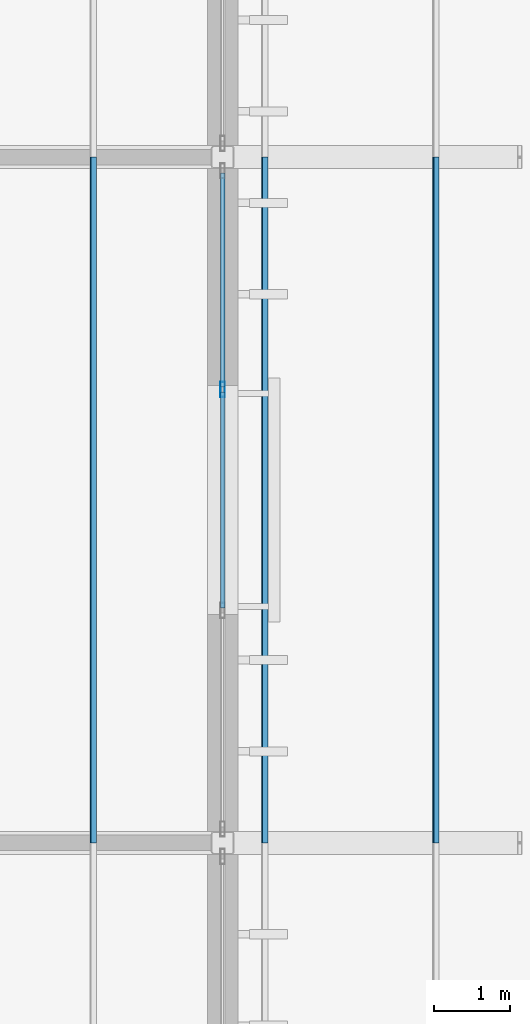
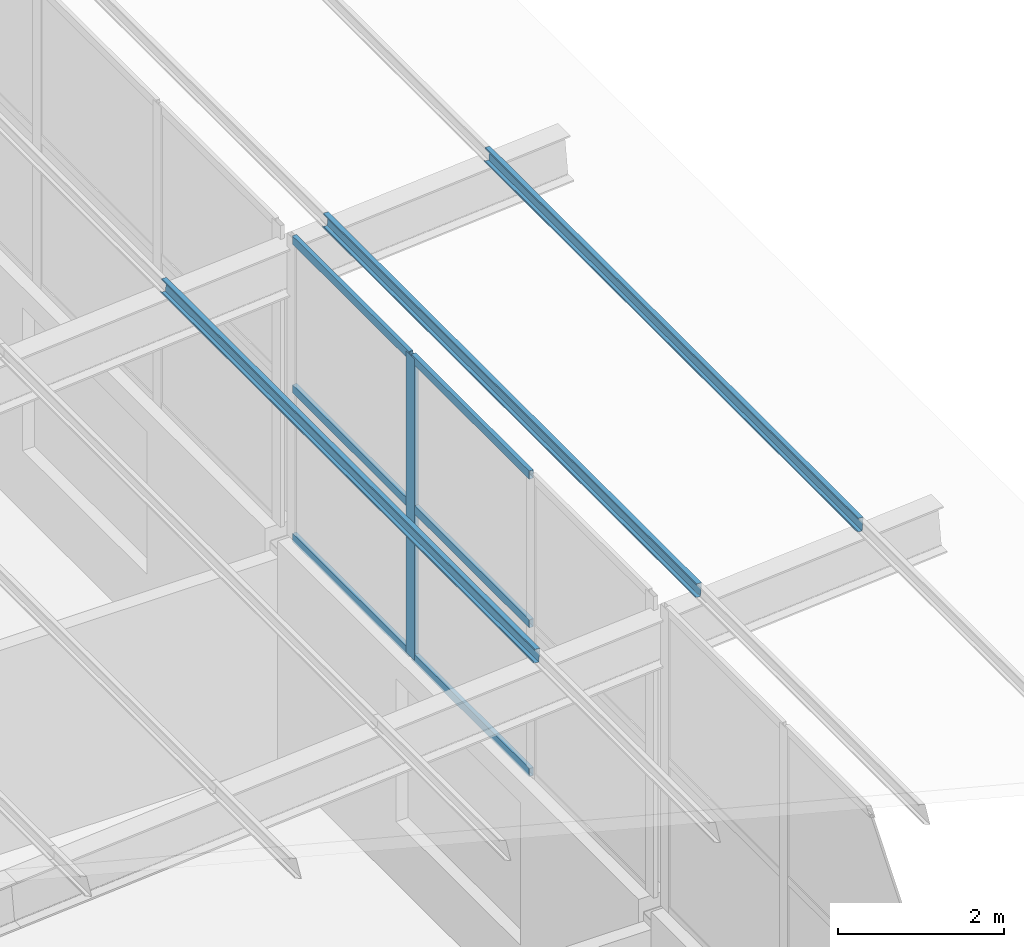
# One storey, part 44 of 85: 10 members, 1 element without a shape of its own.
"""IFC4 building model written with IfcOpenShell, lengths in metres."""

from ifc_helpers import new_model, si_unit, direction, frame, origin, origin_2d, place, context, subcontext, project, spatial, polyline, hollow_rectangle, outline, extrude, material, layer, layer_set, material_profile, profile_set, type_object, element, aggregate, save


model = new_model("IFC4")

# Units and contexts
model_context = context("Model", 3, precision=1e-05, world=origin(), true_north=direction((0.0, 1.0)))
body_context = subcontext(model_context, "Body", "Model", "MODEL_VIEW")
ifc_project = project(units=[si_unit("LENGTHUNIT", "METRE"), si_unit("AREAUNIT", "SQUARE_METRE"), si_unit("VOLUMEUNIT", "CUBIC_METRE"), si_unit("PLANEANGLEUNIT", "RADIAN"), si_unit("MASSUNIT", "GRAM", prefix="KILO")], contexts=[model_context])

# Site, building, storey
site_placement = place(None, origin())
site = spatial("IfcSite", under=ifc_project, at=site_placement, CompositionType="ELEMENT")
building_placement = place(site_placement, origin())
building = spatial("IfcBuilding", under=site, at=building_placement, Name="Opaline Strait Convention Centre", CompositionType="ELEMENT")
storey_placement = place(building_placement, frame((0.0, 0.0, 17.0)))
storey = spatial("IfcBuildingStorey", under=building, at=storey_placement, Name="L03", CompositionType="ELEMENT", Elevation=17.0)

# Curtain wall, members
ifc_material_1 = material(Name="Aluminium framed double glazing", Category="aluminium")
ifc_layer = layer(ifc_material_1, 0.199951171875)
ifc_layer_set = layer_set([ifc_layer], Name="Aluminium framed double glazing")
curtain_wall_type = type_object("IfcCurtainWallType", Name="Curtain wall 3000 module unitised", PredefinedType="NOTDEFINED", material=ifc_layer_set)
curtain_wall_placement = place(storey_placement, origin())
curtain_wall = element("IfcCurtainWall", 1, at=curtain_wall_placement, inside=storey, type_object=curtain_wall_type, Name="Clerestory curtain wall E L03 41/P", PredefinedType="NOTDEFINED")
ifc_material_2 = material(Name="Aluminium alloy 6063", Category="aluminium")
ifc_material_profile_1 = material_profile(ifc_material_2, hollow_rectangle(XDim=0.06005859375, YDim=0.199951171875, WallThickness=0.00390625, at=origin_2d()), Name="MULLION 60x200x4")
ifc_profile_set_1 = profile_set([ifc_material_profile_1], Name="Aluminium alloy 6063")
member_type_1 = type_object("IfcMemberType", Name="Curtain wall mullion 60 x 200", PredefinedType="MULLION", material=ifc_profile_set_1)
member_1_placement = place(storey_placement, frame((360.0, 122.949951171875, 3.300048828125), z_axis=(0.0, 0.0, 1.0), x_axis=(-1.0, 0.0, 0.0)))
member_1 = element("IfcMember", 2, at=member_1_placement, type_object=member_type_1, Name="MCWR1 mullion 3", PredefinedType="MULLION", context=body_context, shape_type="SweptSolid", body=[
    extrude(hollow_rectangle(XDim=0.06005859375, YDim=0.199951171875, WallThickness=0.00390625, at=origin_2d()), origin(), (0.0, 0.0, 1.0), 4.43603515625),
])
ifc_material_profile_2 = material_profile(ifc_material_2, hollow_rectangle(XDim=0.06005859375, YDim=0.1201171875, WallThickness=0.0029296875, at=origin_2d()), Name="TRANSOM 60x120x3")
ifc_profile_set_2 = profile_set([ifc_material_profile_2], Name="Aluminium alloy 6063")
member_type_2 = type_object("IfcMemberType", Name="Curtain wall transom 60 x 120", PredefinedType="USERDEFINED", material=ifc_profile_set_2)
member_2_placement = place(storey_placement, frame((360.0, 120.080078125, 3.330078125), z_axis=(0.0, 1.0, 0.0), x_axis=(-1.0, 0.0, 0.0)))
member_2 = element("IfcMember", 3, at=member_2_placement, type_object=member_type_2, Name="MCWR1 transom 2.1", ObjectType="TRANSOM", PredefinedType="USERDEFINED", context=body_context, shape_type="SweptSolid", body=[
    extrude(hollow_rectangle(XDim=0.06005859375, YDim=0.1201171875, WallThickness=0.0029296875, at=origin_2d()), origin(), (0.0, 0.0, 1.0), 2.83984375),
])
member_3_placement = place(storey_placement, frame((360.0, 120.080078125, 5.51806640625), z_axis=(0.0, 1.0, 0.0), x_axis=(-1.0, 0.0, 0.0)))
member_3 = element("IfcMember", 4, at=member_3_placement, type_object=member_type_2, Name="MCWR1 transom 2.2", ObjectType="TRANSOM", PredefinedType="USERDEFINED", context=body_context, shape_type="SweptSolid", body=[
    extrude(hollow_rectangle(XDim=0.06005859375, YDim=0.1201171875, WallThickness=0.0029296875, at=origin_2d()), origin(), (0.0, 0.0, 1.0), 2.83984375),
])
member_4_placement = place(storey_placement, frame((360.0, 120.080078125, 7.7060546875), z_axis=(0.0, 1.0, 0.0), x_axis=(-1.0, 0.0, 0.0)))
member_4 = element("IfcMember", 5, at=member_4_placement, type_object=member_type_2, Name="MCWR1 transom 2.3", ObjectType="TRANSOM", PredefinedType="USERDEFINED", context=body_context, shape_type="SweptSolid", body=[
    extrude(hollow_rectangle(XDim=0.06005859375, YDim=0.1201171875, WallThickness=0.0029296875, at=origin_2d()), origin(), (0.0, 0.0, 1.0), 2.83984375),
])
member_5_placement = place(storey_placement, frame((360.0, 122.97998046875, 3.330078125), z_axis=(0.0, 1.0, 0.0), x_axis=(-1.0, 0.0, 0.0)))
member_5 = element("IfcMember", 6, at=member_5_placement, type_object=member_type_2, Name="MCWR1 transom 3.1", ObjectType="TRANSOM", PredefinedType="USERDEFINED", context=body_context, shape_type="SweptSolid", body=[
    extrude(hollow_rectangle(XDim=0.06005859375, YDim=0.1201171875, WallThickness=0.0029296875, at=origin_2d()), origin(), (0.0, 0.0, 1.0), 2.81005859375),
])
member_6_placement = place(storey_placement, frame((360.0, 122.97998046875, 5.51806640625), z_axis=(0.0, 1.0, 0.0), x_axis=(-1.0, 0.0, 0.0)))
member_6 = element("IfcMember", 7, at=member_6_placement, type_object=member_type_2, Name="MCWR1 transom 3.2", ObjectType="TRANSOM", PredefinedType="USERDEFINED", context=body_context, shape_type="SweptSolid", body=[
    extrude(hollow_rectangle(XDim=0.06005859375, YDim=0.1201171875, WallThickness=0.0029296875, at=origin_2d()), origin(), (0.0, 0.0, 1.0), 2.81005859375),
])
member_7_placement = place(storey_placement, frame((360.0, 122.97998046875, 7.7060546875), z_axis=(0.0, 1.0, 0.0), x_axis=(-1.0, 0.0, 0.0)))
member_7 = element("IfcMember", 8, at=member_7_placement, type_object=member_type_2, Name="MCWR1 transom 3.3", ObjectType="TRANSOM", PredefinedType="USERDEFINED", context=body_context, shape_type="SweptSolid", body=[
    extrude(hollow_rectangle(XDim=0.06005859375, YDim=0.1201171875, WallThickness=0.0029296875, at=origin_2d()), origin(), (0.0, 0.0, 1.0), 2.81005859375),
])
aggregate(curtain_wall, [member_1, member_2, member_3, member_4, member_5, member_6, member_7])

# Members
ifc_material_3 = material(Name="Steel Q355B", Category="steel")
ifc_material_profile_3 = material_profile(ifc_material_3, outline(polyline([(-0.034912109375, -0.10009765625), (0.034912109375, -0.10009765625), (0.034912109375, -0.080078125), (0.032470703125, -0.080078125), (0.032470703125, -0.097412109375), (-0.032470703125, -0.097412109375), (-0.032470703125, 0.097412109375), (0.032470703125, 0.097412109375), (0.032470703125, 0.080078125), (0.034912109375, 0.080078125), (0.034912109375, 0.10009765625), (-0.034912109375, 0.10009765625), (-0.034912109375, -0.10009765625)])), Name="C 200x70x20x2.5")
ifc_profile_set_3 = profile_set([ifc_material_profile_3], Name="Steel Q355B")
member_type_3 = type_object("IfcMemberType", Name="Roof purlin C 200x70x20x2.5", PredefinedType="PURLIN", material=ifc_profile_set_3)
for number, where, z_axis, x_axis, name in (
    (9, (358.300048828125, 117.0, 7.501953125), (0.0, 1.0, 0.0), (-0.996917333733, 0.0, 0.078459095728), "MRP1 purlin E wing 374"),
    (10, (360.550048828125, 117.0, 7.678955078125), (0.0, 1.0, 0.0), (-0.996917333733, 0.0, 0.078459095728), "MRP1 purlin E wing 384"),
    (11, (362.800048828125, 117.0, 7.856201171875), (0.0, 1.0, 0.0), (-0.996917333733, 0.0, 0.078459095728), "MRP1 purlin E wing 394"),
):
    element("IfcMember", number, at=place(storey_placement, frame(where, z_axis=z_axis, x_axis=x_axis)), inside=storey, type_object=member_type_3, Name=name, PredefinedType="PURLIN", context=body_context, shape_type="SweptSolid", body=[
        extrude(outline(polyline([(-0.034912109375, -0.10009765625), (0.034912109375, -0.10009765625), (0.034912109375, -0.080078125), (0.032470703125, -0.080078125), (0.032470703125, -0.097412109375), (-0.032470703125, -0.097412109375), (-0.032470703125, 0.097412109375), (0.032470703125, 0.097412109375), (0.032470703125, 0.080078125), (0.034912109375, 0.080078125), (0.034912109375, 0.10009765625), (-0.034912109375, 0.10009765625), (-0.034912109375, -0.10009765625)])), origin(), (0.0, 0.0, 1.0), 9.0),
    ])

save(model, "model.ifc")
